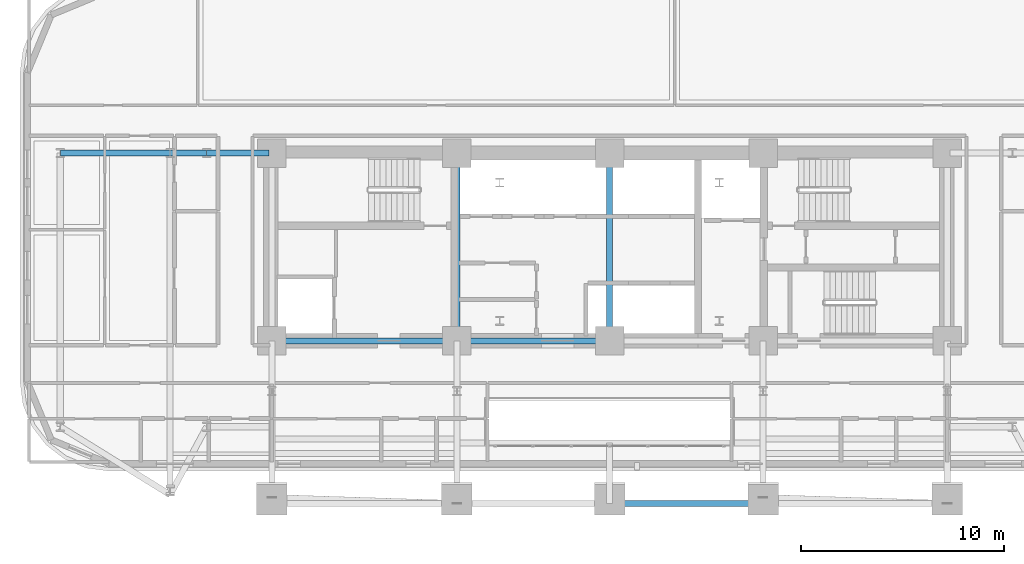
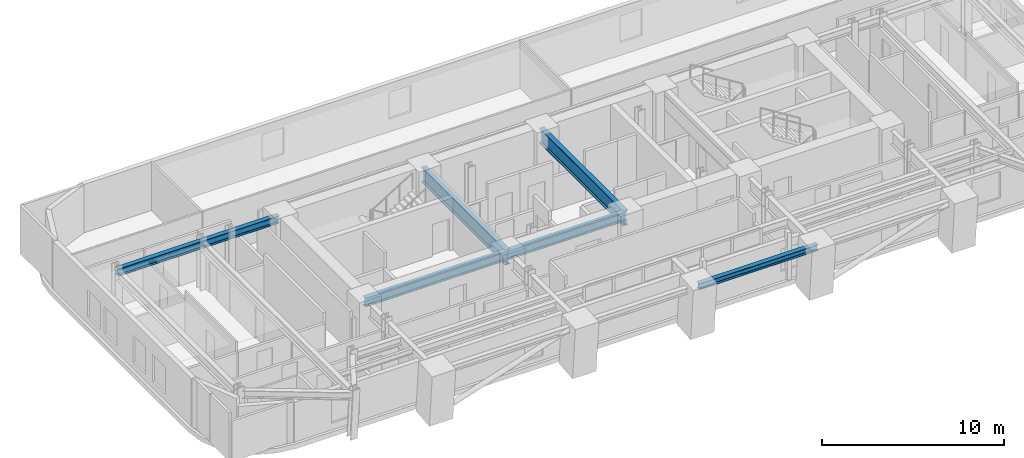
# One storey, part 3 of 15: 8 beams.
"""IFC4 building model written with IfcOpenShell, lengths in metres."""

from ifc_helpers import new_model, si_unit, direction, frame, origin, origin_2d, place, context, subcontext, project, spatial, i_section, extrude, material, material_profile, profile_set, type_object, element, save


model = new_model("IFC4")

# Units and contexts
model_context = context("Model", 3, precision=1e-05, world=origin(), true_north=direction((0.0, 1.0)))
body_context = subcontext(model_context, "Body", "Model", "MODEL_VIEW")
ifc_project = project(units=[si_unit("LENGTHUNIT", "METRE"), si_unit("AREAUNIT", "SQUARE_METRE"), si_unit("VOLUMEUNIT", "CUBIC_METRE"), si_unit("PLANEANGLEUNIT", "RADIAN"), si_unit("MASSUNIT", "GRAM", prefix="KILO")], contexts=[model_context])

# Site, building, storey
site_placement = place(None, origin())
site = spatial("IfcSite", under=ifc_project, at=site_placement, CompositionType="ELEMENT")
building_placement = place(site_placement, origin())
building = spatial("IfcBuilding", under=site, at=building_placement, Name="Zarnavel Station Tower", CompositionType="ELEMENT")
storey_placement = place(building_placement, frame((0.0, 0.0, 67.5)))
storey = spatial("IfcBuildingStorey", under=building, at=storey_placement, Name="L18", CompositionType="ELEMENT", Elevation=67.5)

# Beams
ifc_material_1 = material(Name="Steel S355J2", Category="steel")
ifc_material_profile_1 = material_profile(ifc_material_1, i_section(OverallWidth=0.300048828125, OverallDepth=0.39990234375, WebThickness=0.013427734375, FlangeThickness=0.02392578125, FilletRadius=0.027099609375, at=origin_2d()), Name="HEB400")
ifc_profile_set_1 = profile_set([ifc_material_profile_1], Name="Steel S355J2")
beam_type_1 = type_object("IfcBeamType", Name="EB_HEB400", PredefinedType="SPANDREL", material=ifc_profile_set_1)
beam_1_placement = place(storey_placement, frame((28.800048828125, 19.8173828125, 3.0400390625), z_axis=(1.0, 0.0, 0.0), x_axis=(0.0, 1.0, 0.0)))
element("IfcBeam", 1, at=beam_1_placement, inside=storey, type_object=beam_type_1, Name="L18 South Raked Spandrel 3", PredefinedType="SPANDREL", context=body_context, shape_type="SweptSolid", body=[
    extrude(i_section(OverallWidth=0.300048828125, OverallDepth=0.39990234375, WebThickness=0.013427734375, FlangeThickness=0.02392578125, FilletRadius=0.027099609375, at=origin_2d()), origin(), (0.0, 0.0, 1.0), 7.550048828125),
])
ifc_material_2 = material(Name="Steel S355J2", Category="steel")
ifc_material_profile_2 = material_profile(ifc_material_2, i_section(OverallWidth=0.300048828125, OverallDepth=0.5, WebThickness=0.014404296875, FlangeThickness=0.028076171875, FilletRadius=0.027099609375, at=origin_2d()), Name="HEB500")
ifc_profile_set_2 = profile_set([ifc_material_profile_2], Name="Steel S355J2")
beam_type_2 = type_object("IfcBeamType", Name="FG_HEB500", PredefinedType="USERDEFINED", material=ifc_profile_set_2)
beam_2_placement = place(storey_placement, frame((1.800048828125, 37.050048828125, 2.989990234375), z_axis=(1.0, 0.0, 0.0), x_axis=(0.0, 1.0, 0.0)))
element("IfcBeam", 2, at=beam_2_placement, inside=storey, type_object=beam_type_2, Name="L18 West Wing North Tie 1", ObjectType="GIRDER", PredefinedType="USERDEFINED", context=body_context, shape_type="SweptSolid", body=[
    extrude(i_section(OverallWidth=0.300048828125, OverallDepth=0.5, WebThickness=0.014404296875, FlangeThickness=0.028076171875, FilletRadius=0.027099609375, at=origin_2d()), origin(), (0.0, 0.0, 1.0), 5.39990234375),
])
beam_3_placement = place(storey_placement, frame((7.199951171875, 37.050048828125, 2.989990234375), z_axis=(1.0, 0.0, 0.0), x_axis=(0.0, 1.0, 0.0)))
element("IfcBeam", 3, at=beam_3_placement, inside=storey, type_object=beam_type_2, Name="L18 West Wing North Tie 2", ObjectType="GIRDER", PredefinedType="USERDEFINED", context=body_context, shape_type="SweptSolid", body=[
    extrude(i_section(OverallWidth=0.300048828125, OverallDepth=0.5, WebThickness=0.014404296875, FlangeThickness=0.028076171875, FilletRadius=0.027099609375, at=origin_2d()), origin(), (0.0, 0.0, 1.0), 1.800048828125),
])
beam_4_placement = place(storey_placement, frame((9.0, 37.050048828125, 2.989990234375), z_axis=(1.0, 0.0, 0.0), x_axis=(0.0, 1.0, 0.0)))
element("IfcBeam", 4, at=beam_4_placement, inside=storey, type_object=beam_type_2, Name="L18 West Wing North Tie 3", ObjectType="GIRDER", PredefinedType="USERDEFINED", context=body_context, shape_type="SweptSolid", body=[
    extrude(i_section(OverallWidth=0.300048828125, OverallDepth=0.5, WebThickness=0.014404296875, FlangeThickness=0.028076171875, FilletRadius=0.027099609375, at=origin_2d()), origin(), (0.0, 0.0, 1.0), 3.054931640625),
])
ifc_material_3 = material(Name="Steel S355J2", Category="steel")
ifc_material_profile_3 = material_profile(ifc_material_3, i_section(OverallWidth=0.300048828125, OverallDepth=0.60009765625, WebThickness=0.015380859375, FlangeThickness=0.030029296875, FilletRadius=0.027099609375, at=origin_2d()), Name="HEB600")
ifc_profile_set_3 = profile_set([ifc_material_profile_3], Name="Steel S355J2")
beam_type_3 = type_object("IfcBeamType", Name="FG_HEB600", PredefinedType="USERDEFINED", material=ifc_profile_set_3)
beam_5_placement = place(storey_placement, frame((12.199951171875, 27.820068359375, 2.93994140625), z_axis=(1.0, 0.0, 0.0), x_axis=(0.0, 1.0, 0.0)))
element("IfcBeam", 5, at=beam_5_placement, inside=storey, type_object=beam_type_3, Name="L18 Core Front Coupling Beam 1", ObjectType="GIRDER", PredefinedType="USERDEFINED", context=body_context, shape_type="SweptSolid", body=[
    extrude(i_section(OverallWidth=0.300048828125, OverallDepth=0.60009765625, WebThickness=0.015380859375, FlangeThickness=0.030029296875, FilletRadius=0.027099609375, at=origin_2d()), origin(), (0.0, 0.0, 1.0), 9.10009765625),
])
beam_6_placement = place(storey_placement, frame((21.300048828125, 27.820068359375, 2.93994140625), z_axis=(1.0, 0.0, 0.0), x_axis=(0.0, 1.0, 0.0)))
element("IfcBeam", 6, at=beam_6_placement, inside=storey, type_object=beam_type_3, Name="L18 Core Front Coupling Beam 2", ObjectType="GIRDER", PredefinedType="USERDEFINED", context=body_context, shape_type="SweptSolid", body=[
    extrude(i_section(OverallWidth=0.300048828125, OverallDepth=0.60009765625, WebThickness=0.015380859375, FlangeThickness=0.030029296875, FilletRadius=0.027099609375, at=origin_2d()), origin(), (0.0, 0.0, 1.0), 7.5),
])
ifc_material_4 = material(Name="Steel S460M", Category="steel")
ifc_material_profile_4 = material_profile(ifc_material_4, i_section(OverallWidth=0.302001953125, OverallDepth=1.008056640625, WebThickness=0.02099609375, FlangeThickness=0.0400390625, FilletRadius=0.030029296875, at=origin_2d()), Name="HEM1000")
ifc_profile_set_4 = profile_set([ifc_material_profile_4], Name="Steel S460M")
beam_type_4 = type_object("IfcBeamType", Name="TG_HEM1000", PredefinedType="USERDEFINED", material=ifc_profile_set_4)
for number, where, z_axis, x_axis, name in (
    (7, (21.300048828125, 27.820068359375, 2.736083984375), (0.0, 1.0, 0.0), (-1.0, 0.0, 0.0), "L18 Core Spine Coupling Girder 2"),
    (8, (28.800048828125, 27.820068359375, 2.736083984375), (0.0, 1.0, 0.0), (-1.0, 0.0, 0.0), "L18 Core Spine Coupling Girder 3"),
):
    element("IfcBeam", number, at=place(storey_placement, frame(where, z_axis=z_axis, x_axis=x_axis)), inside=storey, type_object=beam_type_4, Name=name, ObjectType="GIRDER", PredefinedType="USERDEFINED", context=body_context, shape_type="SweptSolid", body=[
        extrude(i_section(OverallWidth=0.302001953125, OverallDepth=1.008056640625, WebThickness=0.02099609375, FlangeThickness=0.0400390625, FilletRadius=0.030029296875, at=origin_2d()), origin(), (0.0, 0.0, 1.0), 9.22998046875),
    ])

save(model, "model.ifc")
